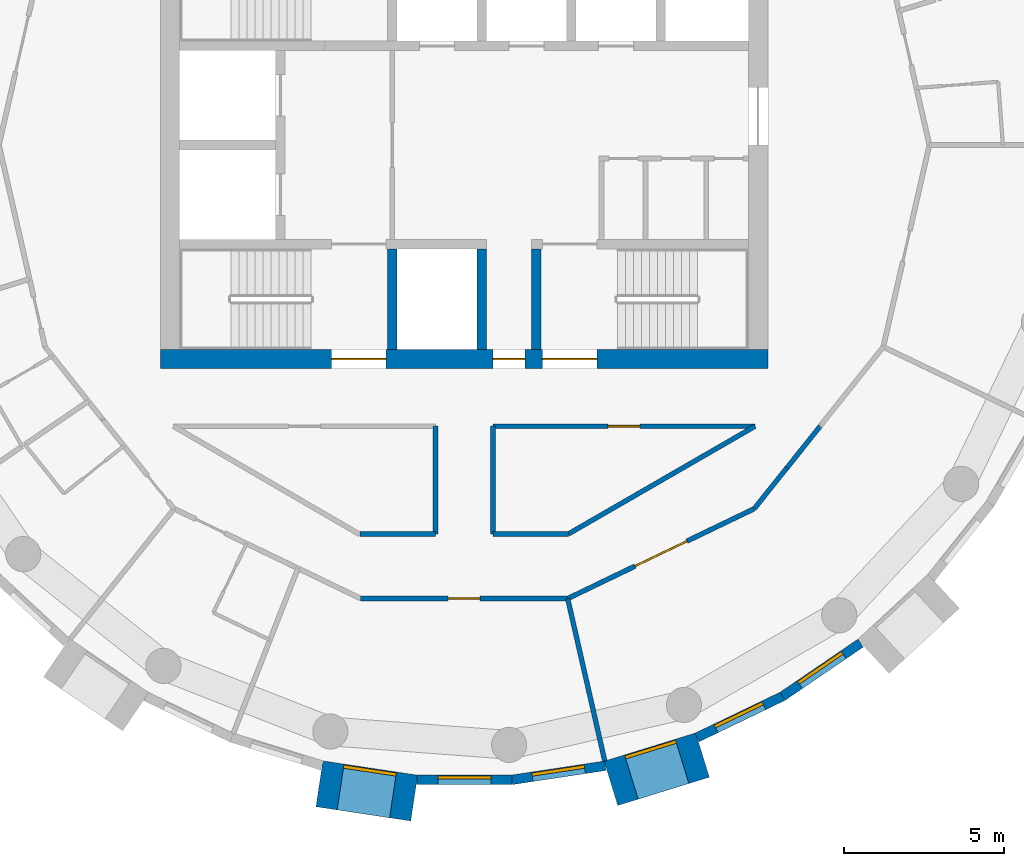
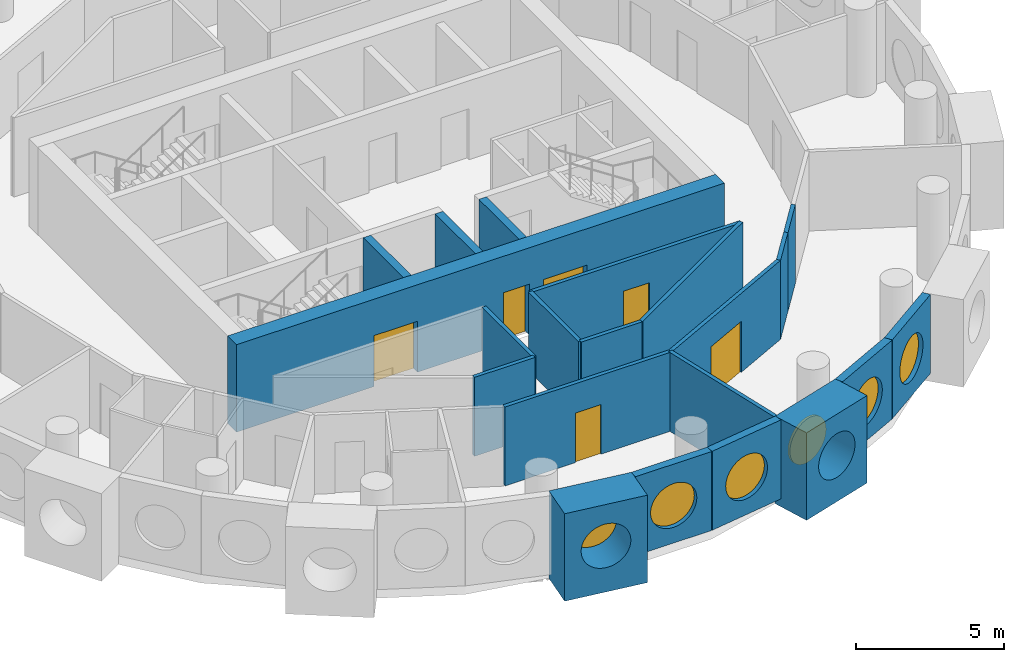
# One storey, part 4 of 13: 21 walls, 6 doors, 6 windows, 12 openings.
"""IFC4 building model written with IfcOpenShell, lengths in metres."""

import ifcopenshell
import ifcopenshell.guid

model = None  # the IFC model being written
_history = None  # IfcOwnerHistory: only IFC2X3 demands one
_inside = {}  # id of a spatial element -> (the spatial element, [elements in it])
_under = {}  # id of a project, library or spatial element -> (it, [spatial elements below it])
_declared = {}  # id of a project -> (the project, [libraries it declares])
_typed = {}  # id of a type object -> (the type object, [elements of that type])
_made_of = {}  # id of a material, layer set ... -> (it, [elements and type objects made of it])


def new_model(schema):
    """Start an empty IFC model of exactly this schema.

    Asked for "IFC4X3", IfcOpenShell would pick the latest addendum, in which some entities
    have other attributes; the version numbers below select the first issue.
    IFC2X3 requires an IfcOwnerHistory on every rooted entity: one is made here for all.
    """
    global model, _history
    if schema == "IFC4X3":
        model = ifcopenshell.file(schema_version=(4, 3, 0, 0))
    else:
        model = ifcopenshell.file(schema=schema)
    _inside.clear()
    _under.clear()
    _declared.clear()
    _typed.clear()
    _made_of.clear()
    _history = None
    if model.schema == "IFC2X3":
        org = make("IfcOrganization", Name="unknown")
        user = make(
            "IfcPersonAndOrganization",
            ThePerson=make("IfcPerson", FamilyName="unknown"),
            TheOrganization=org,
        )
        app = make(
            "IfcApplication",
            ApplicationDeveloper=org,
            Version="unknown",
            ApplicationFullName="unknown",
            ApplicationIdentifier="unknown",
        )
        _history = make(
            "IfcOwnerHistory",
            OwningUser=user,
            OwningApplication=app,
            ChangeAction="ADDED",
            CreationDate=0,
        )
    return model


def make(cls, **values):
    """One entity of the class cls with the attributes given. An attribute that is None is left unset."""
    return model.create_entity(
        cls, **{name: value for name, value in values.items() if value is not None}
    )


def rooted(cls, **values):
    """An entity with a GlobalId (a new one), such as an element, a storey or a relation."""
    return make(cls, GlobalId=ifcopenshell.guid.new(), OwnerHistory=_history, **values)


def si_unit(unit_type, name, prefix=None):
    """IfcSIUnit, for example si_unit("LENGTHUNIT", "METRE", prefix="MILLI")."""
    return make("IfcSIUnit", UnitType=unit_type, Prefix=prefix, Name=name)


def assignment(units):
    """IfcUnitAssignment: the units of a project."""
    return None if units is None else make("IfcUnitAssignment", Units=units)


def point(xyz):
    """IfcCartesianPoint."""
    return None if xyz is None else make("IfcCartesianPoint", Coordinates=xyz)


def direction(xyz):
    """IfcDirection."""
    return None if xyz is None else make("IfcDirection", DirectionRatios=xyz)


def frame(location, z_axis=None, x_axis=None):
    """IfcAxis2Placement3D, a coordinate frame: its origin and axes. An axis left out is left unset."""
    return make(
        "IfcAxis2Placement3D",
        Location=point(location),
        Axis=direction(z_axis),
        RefDirection=direction(x_axis),
    )


def frame_2d(location, x_axis=None):
    """IfcAxis2Placement2D, a coordinate frame in the plane: its origin and x axis."""
    return make(
        "IfcAxis2Placement2D", Location=point(location), RefDirection=direction(x_axis)
    )


def origin():
    """The frame at (0, 0, 0) with its axes left unset."""
    return frame((0.0, 0.0, 0.0))


def origin_2d():
    """The frame at (0, 0) in the plane with its x axis left unset."""
    return frame_2d((0.0, 0.0))


def place(relative_to, where):
    """IfcLocalPlacement: puts the frame where relative to a parent placement (None: the world)."""
    return make(
        "IfcLocalPlacement", PlacementRelTo=relative_to, RelativePlacement=where
    )


def context(
    kind, dimensions, precision=None, world=None, true_north=None, identifier=None
):
    """IfcGeometricRepresentationContext, for example the 3D "Model" context."""
    return make(
        "IfcGeometricRepresentationContext",
        ContextIdentifier=identifier,
        ContextType=kind,
        CoordinateSpaceDimension=dimensions,
        Precision=precision,
        WorldCoordinateSystem=world,
        TrueNorth=true_north,
    )


def subcontext(parent, identifier, kind, view, scale=None):
    """IfcGeometricRepresentationSubContext, for example "Body" below "Model"."""
    return make(
        "IfcGeometricRepresentationSubContext",
        ContextIdentifier=identifier,
        ContextType=kind,
        ParentContext=parent,
        TargetScale=scale,
        TargetView=view,
    )


def project(units=None, contexts=None):
    """IfcProject with its units and contexts."""
    return rooted(
        "IfcProject",
        Name="project",
        RepresentationContexts=contexts,
        UnitsInContext=assignment(units),
    )


def spatial(cls, under=None, at=None, **own):
    """A site, building, storey or space (cls), placed at a placement, below another one or the project."""
    s = rooted(cls, ObjectPlacement=at, **own)
    if under is not None:
        _under.setdefault(under.id(), (under, []))[1].append(s)
    return s


def profile(cls, at=None, kind="AREA", **sizes):
    """A parametric profile (cls). Its sizes go by their IFC names, for example OverallWidth=200.0."""
    return make(cls, ProfileType=kind, Position=at, **sizes)


def rectangle(**sizes):
    """IfcRectangleProfileDef."""
    return profile("IfcRectangleProfileDef", **sizes)


def circle(**sizes):
    """IfcCircleProfileDef."""
    return profile("IfcCircleProfileDef", **sizes)


def extrude(swept, where, along, depth):
    """IfcExtrudedAreaSolid: the profile swept, set in the frame where, extruded along a direction by depth."""
    return make(
        "IfcExtrudedAreaSolid",
        SweptArea=swept,
        Position=where,
        ExtrudedDirection=direction(along),
        Depth=depth,
    )


def shape(context_of_items, identifier, shape_type, items):
    """IfcShapeRepresentation: the items that make up one representation, for example the "Body"."""
    return make(
        "IfcShapeRepresentation",
        ContextOfItems=context_of_items,
        RepresentationIdentifier=identifier,
        RepresentationType=shape_type,
        Items=items,
    )


def material(Name=None, Category=None):
    """IfcMaterial."""
    return make("IfcMaterial", Name=Name, Category=Category)


def layer(
    of_material, thickness, ventilated=None, Name=None, Category=None, Priority=None
):
    """IfcMaterialLayer: one layer of a wall or slab, of a material (None: an air gap)."""
    return make(
        "IfcMaterialLayer",
        Material=of_material,
        LayerThickness=thickness,
        IsVentilated=ventilated,
        Name=Name,
        Category=Category,
        Priority=Priority,
    )


def layer_set(layers, Name=None):
    """IfcMaterialLayerSet."""
    return make("IfcMaterialLayerSet", MaterialLayers=layers, LayerSetName=Name)


def made_of(thing, what):
    """Note that an element or type object is made of a material, layer set ...; save() writes the relation."""
    if what is not None:
        _made_of.setdefault(what.id(), (what, []))[1].append(thing)
    return thing


def type_object(cls, material=None, **own):
    """A type object (cls), such as IfcWallType, which elements share."""
    return made_of(rooted(cls, **own), material)


def element(
    cls,
    number,
    at=None,
    inside=None,
    cuts=None,
    type_object=None,
    material=None,
    context=None,
    identifier="Body",
    shape_type=None,
    held_by="IfcProductDefinitionShape",
    body=None,
    shapes=None,
    **own,
):
    """One element of the class cls, such as IfcWall. Its Tag is "e" and its number.

    at: its placement. inside: the storey or other place that contains it. cuts: it is an
    opening in that element (IfcRelVoidsElement). A single representation is given by context,
    identifier, shape_type and body (its items); several are given by shapes. held_by: the class
    of the entity that holds the representations. save() writes the other relations.
    """
    e = rooted(cls, Tag="e%d" % number, ObjectPlacement=at, **own)
    if body is not None:
        shapes = [shape(context, identifier, shape_type, body)]
    if shapes is not None:
        e.Representation = make(held_by, Representations=shapes)
    if inside is not None:
        _inside.setdefault(inside.id(), (inside, []))[1].append(e)
    if cuts is not None:
        rooted(
            "IfcRelVoidsElement", RelatingBuildingElement=cuts, RelatedOpeningElement=e
        )
    if type_object is not None:
        _typed.setdefault(type_object.id(), (type_object, []))[1].append(e)
    return made_of(e, material)


def fill(opening, filler):
    """IfcRelFillsElement: the door or window that sits in an opening."""
    return rooted(
        "IfcRelFillsElement",
        RelatingOpeningElement=opening,
        RelatedBuildingElement=filler,
    )


def aggregate(whole, parts):
    """IfcRelAggregates: a whole, such as a stair, and the parts it consists of."""
    return rooted("IfcRelAggregates", RelatingObject=whole, RelatedObjects=parts)


def save(model, path):
    """Write the relations noted so far, then the file.

    IfcRelAggregates (storeys below a building ...), IfcRelContainedInSpatialStructure (elements
    in a storey), IfcRelDefinesByType, IfcRelAssociatesMaterial and IfcRelDeclares: one each for
    every whole, place, type object, material and project.
    """
    for whole, parts in _under.values():
        aggregate(whole, parts)
    for where, things in _inside.values():
        rooted(
            "IfcRelContainedInSpatialStructure",
            RelatedElements=things,
            RelatingStructure=where,
        )
    for kind, things in _typed.values():
        rooted("IfcRelDefinesByType", RelatedObjects=things, RelatingType=kind)
    for what, things in _made_of.values():
        rooted("IfcRelAssociatesMaterial", RelatedObjects=things, RelatingMaterial=what)
    for by, libraries in _declared.values():
        rooted("IfcRelDeclares", RelatingContext=by, RelatedDefinitions=libraries)
    model.write(path)


model = new_model("IFC4")

# Units and contexts
model_context = context("Model", 3, precision=1e-05, world=origin(), true_north=direction((0.0, 1.0)))
body_context = subcontext(model_context, "Body", "Model", "MODEL_VIEW")
ifc_project = project(units=[si_unit("LENGTHUNIT", "METRE"), si_unit("AREAUNIT", "SQUARE_METRE"), si_unit("VOLUMEUNIT", "CUBIC_METRE"), si_unit("PLANEANGLEUNIT", "RADIAN"), si_unit("MASSUNIT", "GRAM", prefix="KILO")], contexts=[model_context])

# Site, building, storey
site_placement = place(None, origin())
site = spatial("IfcSite", under=ifc_project, at=site_placement, CompositionType="ELEMENT")
building_placement = place(site_placement, origin())
building = spatial("IfcBuilding", under=site, at=building_placement, Name="Tracery Tower", CompositionType="ELEMENT")
storey_placement = place(building_placement, frame((0.0, 0.0, 259.800048828125)))
storey = spatial("IfcBuildingStorey", under=building, at=storey_placement, Name="L67", CompositionType="ELEMENT", Elevation=259.800048828125)

# Wall, openings, doors
ifc_material_1 = material(Name="Concrete C40/50", Category="concrete")
ifc_layer_1 = layer(ifc_material_1, 0.60009765625)
ifc_layer_set_1 = layer_set([ifc_layer_1], Name="Core wall 600 C40")
wall_type_1 = type_object("IfcWallType", Name="Core wall 600 C40", PredefinedType="SOLIDWALL", material=ifc_layer_set_1)
wall_1_placement = place(storey_placement, frame((-9.5, -6.699951171875, 0.0), z_axis=(0.0, 0.0, 1.0), x_axis=(1.0, 0.0, 0.0)))
wall_1 = element("IfcWall", 1, at=wall_1_placement, inside=storey, type_object=wall_type_1, Name="L67 outer S", PredefinedType="SOLIDWALL", context=body_context, shape_type="SweptSolid", body=[
    extrude(rectangle(XDim=19.0, YDim=0.60009765625, at=frame_2d((9.5, 0.0))), origin(), (0.0, 0.0, 1.0), 3.599853515625),
])
opening_1_placement = place(wall_1_placement, frame((10.39990234375, 0.0, 0.0)))
opening_1 = element("IfcOpeningElement", 2, at=opening_1_placement, cuts=wall_1, Name="Opening KD16", PredefinedType="OPENING", context=body_context, shape_type="SweptSolid", body=[
    extrude(rectangle(XDim=1.0, YDim=2.10009765625, at=frame_2d((0.5, 1.050048828125))), frame((0.0, 0.300048828125, 0.0), z_axis=(0.0, -1.0, 0.0), x_axis=(1.0, 0.0, 0.0)), (0.0, 0.0, 1.0), 0.60009765625),
])
opening_2_placement = place(wall_1_placement, frame((5.35009765625, 0.0, 0.0)))
opening_2 = element("IfcOpeningElement", 3, at=opening_2_placement, cuts=wall_1, Name="Opening KD3", PredefinedType="OPENING", context=body_context, shape_type="SweptSolid", body=[
    extrude(rectangle(XDim=1.699951171875, YDim=2.10009765625, at=frame_2d((0.85009765625, 1.050048828125))), frame((0.0, 0.300048828125, 0.0), z_axis=(0.0, -1.0, 0.0), x_axis=(1.0, 0.0, 0.0)), (0.0, 0.0, 1.0), 0.60009765625),
])
opening_3_placement = place(wall_1_placement, frame((11.949951171875, 0.0, 0.0)))
opening_3 = element("IfcOpeningElement", 4, at=opening_3_placement, cuts=wall_1, Name="Opening KD3", PredefinedType="OPENING", context=body_context, shape_type="SweptSolid", body=[
    extrude(rectangle(XDim=1.699951171875, YDim=2.10009765625, at=frame_2d((0.85009765625, 1.050048828125))), frame((0.0, 0.300048828125, 0.0), z_axis=(0.0, -1.0, 0.0), x_axis=(1.0, 0.0, 0.0)), (0.0, 0.0, 1.0), 0.60009765625),
])
ifc_material_2 = material(Name="Steel fire door", Category="steel")
door_type_1 = type_object("IfcDoorType", Name="Core exit door 1000", OperationType="NOTDEFINED", PredefinedType="DOOR", material=ifc_material_2)
door_1_placement = place(opening_1_placement, origin())
door_1 = element("IfcDoor", 5, at=door_1_placement, inside=storey, type_object=door_type_1, Name="Core exit door", OperationType="SINGLE_SWING_LEFT", OverallHeight=2.10009765625, OverallWidth=1.0, PredefinedType="DOOR", context=body_context, shape_type="SweptSolid", body=[
    extrude(rectangle(XDim=1.0, YDim=2.10009765625, at=frame_2d((0.5, 1.050048828125))), frame((0.0, 0.02490234375, 0.0), z_axis=(0.0, -1.0, 0.0), x_axis=(1.0, 0.0, 0.0)), (0.0, 0.0, 1.0), 0.050048828125),
])
fill(opening_1, door_1)
ifc_material_3 = material(Name="Steel fire door", Category="steel")
door_type_2 = type_object("IfcDoorType", Name="Core stair door 1700 double", OperationType="NOTDEFINED", PredefinedType="DOOR", material=ifc_material_3)
door_2_placement = place(opening_2_placement, origin())
door_2 = element("IfcDoor", 6, at=door_2_placement, inside=storey, type_object=door_type_2, Name="Stair door ST1 exit", OperationType="DOUBLE_DOOR_SINGLE_SWING", OverallHeight=2.10009765625, OverallWidth=1.699951171875, PredefinedType="DOOR", context=body_context, shape_type="SweptSolid", body=[
    extrude(rectangle(XDim=1.699951171875, YDim=2.10009765625, at=frame_2d((0.85009765625, 1.050048828125))), frame((0.0, 0.02490234375, 0.0), z_axis=(0.0, -1.0, 0.0), x_axis=(1.0, 0.0, 0.0)), (0.0, 0.0, 1.0), 0.050048828125),
])
fill(opening_2, door_2)
door_3_placement = place(opening_3_placement, origin())
door_3 = element("IfcDoor", 7, at=door_3_placement, inside=storey, type_object=door_type_2, Name="Stair door ST2 exit", OperationType="DOUBLE_DOOR_SINGLE_SWING", OverallHeight=2.10009765625, OverallWidth=1.699951171875, PredefinedType="DOOR", context=body_context, shape_type="SweptSolid", body=[
    extrude(rectangle(XDim=1.699951171875, YDim=2.10009765625, at=frame_2d((0.85009765625, 1.050048828125))), frame((0.0, 0.02490234375, 0.0), z_axis=(0.0, -1.0, 0.0), x_axis=(1.0, 0.0, 0.0)), (0.0, 0.0, 1.0), 0.050048828125),
])
fill(opening_3, door_3)

# Wall, opening, window
ifc_material_4 = material(Name="Precast concrete C50/60", Category="concrete")
ifc_layer_2 = layer(ifc_material_4, 1.449951171875)
ifc_layer_set_2 = layer_set([ifc_layer_2], Name="Deep-set bay unit 3000 x 3600, slab edge 350")
wall_type_2 = type_object("IfcWallType", Name="Deep-set bay unit 3000 x 3600, slab edge 350", PredefinedType="ELEMENTEDWALL", material=ifc_layer_set_2)
wall_2_placement = place(storey_placement, frame((-4.52978515625, -19.9892578125, -0.35009765625), z_axis=(0.0, 0.0, 1.0), x_axis=(0.988836445254, -0.149004981587, 0.0)))
wall_2 = element("IfcWall", 8, at=wall_2_placement, inside=storey, type_object=wall_type_2, Name="Deep-set bay unit 31 at L67", PredefinedType="ELEMENTEDWALL", context=body_context, shape_type="SweptSolid", body=[
    extrude(rectangle(XDim=3.0, YDim=1.449951171875, at=frame_2d((1.5, 0.0))), origin(), (0.0, 0.0, 1.0), 3.60009765625),
])
opening_4_placement = place(wall_2_placement, frame((1.5, 0.0, 1.89990234375)))
opening_4 = element("IfcOpeningElement", 9, at=opening_4_placement, cuts=wall_2, Name="Opening WN1", PredefinedType="OPENING", context=body_context, shape_type="SweptSolid", body=[
    extrude(circle(Radius=0.9000244140625, at=origin_2d()), frame((0.0, 0.73486328125, 0.0), z_axis=(0.0, -1.0, 0.0), x_axis=(1.0, 0.0, 0.0)), (0.0, 0.0, 1.0), 1.469970703125),
])
ifc_material_5 = material(Name="Aluminium frame with tinted double glazing", Category="aluminium")
window_type = type_object("IfcWindowType", Name="Round window 1800", PartitioningType="SINGLE_PANEL", PredefinedType="WINDOW", material=ifc_material_5)
window_1_placement = place(opening_4_placement, origin())
window_1 = element("IfcWindow", 10, at=window_1_placement, inside=storey, type_object=window_type, Name="Round window 31 at L67", OverallHeight=1.800048828125, OverallWidth=1.800048828125, PartitioningType="SINGLE_PANEL", PredefinedType="WINDOW", context=body_context, shape_type="SweptSolid", body=[
    extrude(circle(Radius=0.9000244140625, at=origin_2d()), frame((0.0, 0.69482421875, 0.0), z_axis=(0.0, -1.0, 0.0), x_axis=(1.0, 0.0, 0.0)), (0.0, 0.0, 1.0), 0.10009765625),
])
fill(opening_4, window_1)

wall_3_placement = place(storey_placement, frame((4.591796875, -19.97509765625, -0.35009765625), z_axis=(0.0, 0.0, 1.0), x_axis=(0.955571139978, 0.294760574774, 0.0)))
wall_3 = element("IfcWall", 11, at=wall_3_placement, inside=storey, type_object=wall_type_2, Name="Deep-set bay unit 34 at L67", PredefinedType="ELEMENTEDWALL", context=body_context, shape_type="SweptSolid", body=[
    extrude(rectangle(XDim=3.0, YDim=1.449951171875, at=frame_2d((1.5, 0.0))), origin(), (0.0, 0.0, 1.0), 3.60009765625),
])
opening_5_placement = place(wall_3_placement, frame((1.5, 0.0, 1.89990234375)))
opening_5 = element("IfcOpeningElement", 12, at=opening_5_placement, cuts=wall_3, Name="Opening WN1", PredefinedType="OPENING", context=body_context, shape_type="SweptSolid", body=[
    extrude(circle(Radius=0.9000244140625, at=origin_2d()), frame((0.0, 0.73486328125, 0.0), z_axis=(0.0, -1.0, 0.0), x_axis=(1.0, 0.0, 0.0)), (0.0, 0.0, 1.0), 1.469970703125),
])
window_2_placement = place(opening_5_placement, origin())
window_2 = element("IfcWindow", 13, at=window_2_placement, inside=storey, type_object=window_type, Name="Round window 34 at L67", OverallHeight=1.800048828125, OverallWidth=1.800048828125, PartitioningType="SINGLE_PANEL", PredefinedType="WINDOW", context=body_context, shape_type="SweptSolid", body=[
    extrude(circle(Radius=0.9000244140625, at=origin_2d()), frame((0.0, 0.69482421875, 0.0), z_axis=(0.0, -1.0, 0.0), x_axis=(1.0, 0.0, 0.0)), (0.0, 0.0, 1.0), 0.10009765625),
])
fill(opening_5, window_2)

ifc_material_6 = material(Name="Precast concrete C50/60", Category="concrete")
ifc_layer_3 = layer(ifc_material_6, 0.300048828125)
ifc_layer_set_3 = layer_set([ifc_layer_3], Name="Facade panel 3000 x 3250")
wall_type_3 = type_object("IfcWallType", Name="Facade panel 3000 x 3250", PredefinedType="SOLIDWALL", material=ifc_layer_set_3)
wall_4_placement = place(storey_placement, frame((-1.473388671875, -19.865966796875, 0.0), z_axis=(0.0, 0.0, 1.0), x_axis=(1.0, 0.0, 0.0)))
wall_4 = element("IfcWall", 14, at=wall_4_placement, inside=storey, type_object=wall_type_3, Name="Facade panel 32 at L67", PredefinedType="SOLIDWALL", context=body_context, shape_type="SweptSolid", body=[
    extrude(rectangle(XDim=2.962158203125, YDim=0.300048828125, at=frame_2d((1.48095703125, 0.0))), origin(), (0.0, 0.0, 1.0), 3.25),
])
opening_6_placement = place(wall_4_placement, frame((1.48095703125, 0.0, 1.5498046875)))
opening_6 = element("IfcOpeningElement", 15, at=opening_6_placement, cuts=wall_4, Name="Opening WN1", PredefinedType="OPENING", context=body_context, shape_type="SweptSolid", body=[
    extrude(circle(Radius=0.9000244140625, at=origin_2d()), frame((0.0, 0.159912109375, 0.0), z_axis=(0.0, -1.0, 0.0), x_axis=(1.0, 0.0, 0.0)), (0.0, 0.0, 1.0), 0.320068359375),
])
window_3_placement = place(opening_6_placement, origin())
window_3 = element("IfcWindow", 16, at=window_3_placement, inside=storey, type_object=window_type, Name="Round window 32 at L67", OverallHeight=1.800048828125, OverallWidth=1.800048828125, PartitioningType="SINGLE_PANEL", PredefinedType="WINDOW", context=body_context, shape_type="SweptSolid", body=[
    extrude(circle(Radius=0.9000244140625, at=origin_2d()), frame((0.0, 0.1201171875, 0.0), z_axis=(0.0, -1.0, 0.0), x_axis=(1.0, 0.0, 0.0)), (0.0, 0.0, 1.0), 0.10009765625),
])
fill(opening_6, window_3)

wall_5_placement = place(storey_placement, frame((1.48876953125, -19.865966796875, 0.0), z_axis=(0.0, 0.0, 1.0), x_axis=(0.988835775663, 0.149009425104, 0.0)))
wall_5 = element("IfcWall", 17, at=wall_5_placement, inside=storey, type_object=wall_type_3, Name="Facade panel 33 at L67", PredefinedType="SOLIDWALL", context=body_context, shape_type="SweptSolid", body=[
    extrude(rectangle(XDim=2.962158203125, YDim=0.300048828125, at=frame_2d((1.48095703125, 0.0))), origin(), (0.0, 0.0, 1.0), 3.25),
])
opening_7_placement = place(wall_5_placement, frame((1.48095703125, 0.0, 1.5498046875)))
opening_7 = element("IfcOpeningElement", 18, at=opening_7_placement, cuts=wall_5, Name="Opening WN1", PredefinedType="OPENING", context=body_context, shape_type="SweptSolid", body=[
    extrude(circle(Radius=0.9000244140625, at=origin_2d()), frame((0.0, 0.159912109375, 0.0), z_axis=(0.0, -1.0, 0.0), x_axis=(1.0, 0.0, 0.0)), (0.0, 0.0, 1.0), 0.320068359375),
])
window_4_placement = place(opening_7_placement, origin())
window_4 = element("IfcWindow", 19, at=window_4_placement, inside=storey, type_object=window_type, Name="Round window 33 at L67", OverallHeight=1.800048828125, OverallWidth=1.800048828125, PartitioningType="SINGLE_PANEL", PredefinedType="WINDOW", context=body_context, shape_type="SweptSolid", body=[
    extrude(circle(Radius=0.9000244140625, at=origin_2d()), frame((0.0, 0.1201171875, 0.0), z_axis=(0.0, -1.0, 0.0), x_axis=(1.0, 0.0, 0.0)), (0.0, 0.0, 1.0), 0.10009765625),
])
fill(opening_7, window_4)

wall_6_placement = place(storey_placement, frame((7.2919921875, -18.5380859375, 0.0), z_axis=(0.0, 0.0, 1.0), x_axis=(0.90095513435, 0.433912255978, 0.0)))
wall_6 = element("IfcWall", 20, at=wall_6_placement, inside=storey, type_object=wall_type_3, Name="Facade panel 35 at L67", PredefinedType="SOLIDWALL", context=body_context, shape_type="SweptSolid", body=[
    extrude(rectangle(XDim=2.96240234375, YDim=0.300048828125, at=frame_2d((1.481201171875, 0.0))), origin(), (0.0, 0.0, 1.0), 3.25),
])
opening_8_placement = place(wall_6_placement, frame((1.48095703125, 0.0, 1.5498046875)))
opening_8 = element("IfcOpeningElement", 21, at=opening_8_placement, cuts=wall_6, Name="Opening WN1", PredefinedType="OPENING", context=body_context, shape_type="SweptSolid", body=[
    extrude(circle(Radius=0.9000244140625, at=origin_2d()), frame((0.0, 0.159912109375, 0.0), z_axis=(0.0, -1.0, 0.0), x_axis=(1.0, 0.0, 0.0)), (0.0, 0.0, 1.0), 0.320068359375),
])
window_5_placement = place(opening_8_placement, origin())
window_5 = element("IfcWindow", 22, at=window_5_placement, inside=storey, type_object=window_type, Name="Round window 35 at L67", OverallHeight=1.800048828125, OverallWidth=1.800048828125, PartitioningType="SINGLE_PANEL", PredefinedType="WINDOW", context=body_context, shape_type="SweptSolid", body=[
    extrude(circle(Radius=0.9000244140625, at=origin_2d()), frame((0.0, 0.1201171875, 0.0), z_axis=(0.0, -1.0, 0.0), x_axis=(1.0, 0.0, 0.0)), (0.0, 0.0, 1.0), 0.10009765625),
])
fill(opening_8, window_5)

wall_7_placement = place(storey_placement, frame((9.9609375, -17.252685546875, 0.0), z_axis=(0.0, 0.0, 1.0), x_axis=(0.826236061068, 0.563324037646, 0.0)))
wall_7 = element("IfcWall", 23, at=wall_7_placement, inside=storey, type_object=wall_type_3, Name="Facade panel 36 at L67", PredefinedType="SOLIDWALL", context=body_context, shape_type="SweptSolid", body=[
    extrude(rectangle(XDim=2.962158203125, YDim=0.300048828125, at=frame_2d((1.48095703125, 0.0))), origin(), (0.0, 0.0, 1.0), 3.25),
])
opening_9_placement = place(wall_7_placement, frame((1.48095703125, 0.0, 1.5498046875)))
opening_9 = element("IfcOpeningElement", 24, at=opening_9_placement, cuts=wall_7, Name="Opening WN1", PredefinedType="OPENING", context=body_context, shape_type="SweptSolid", body=[
    extrude(circle(Radius=0.9000244140625, at=origin_2d()), frame((0.0, 0.159912109375, 0.0), z_axis=(0.0, -1.0, 0.0), x_axis=(1.0, 0.0, 0.0)), (0.0, 0.0, 1.0), 0.320068359375),
])
window_6_placement = place(opening_9_placement, origin())
window_6 = element("IfcWindow", 25, at=window_6_placement, inside=storey, type_object=window_type, Name="Round window 36 at L67", OverallHeight=1.800048828125, OverallWidth=1.800048828125, PartitioningType="SINGLE_PANEL", PredefinedType="WINDOW", context=body_context, shape_type="SweptSolid", body=[
    extrude(circle(Radius=0.9000244140625, at=origin_2d()), frame((0.0, 0.1201171875, 0.0), z_axis=(0.0, -1.0, 0.0), x_axis=(1.0, 0.0, 0.0)), (0.0, 0.0, 1.0), 0.10009765625),
])
fill(opening_9, window_6)

# Wall
ifc_material_7 = material(Name="Plasterboard on steel studs", Category="steel")
ifc_layer_4 = layer(ifc_material_7, 0.14990234375)
ifc_layer_set_4 = layer_set([ifc_layer_4], Name="Partition 150 acoustic unit wall")
wall_type_4 = type_object("IfcWallType", Name="Partition 150 acoustic unit wall", PredefinedType="PARTITIONING", material=ifc_layer_set_4)
wall_8_placement = place(storey_placement, frame((3.239013671875, -14.19189453125, 0.0), z_axis=(0.0, 0.0, 1.0), x_axis=(0.222612505682, -0.974907007008, 0.0)))
element("IfcWall", 26, at=wall_8_placement, inside=storey, type_object=wall_type_4, Name="Unit wall RC3-080", PredefinedType="PARTITIONING", context=body_context, shape_type="SweptSolid", body=[
    extrude(rectangle(XDim=5.21484375, YDim=0.14990234375, at=frame_2d((2.607421875, 0.0))), origin(), (0.0, 0.0, 1.0), 3.25),
])

# Wall, opening, door
ifc_material_8 = material(Name="Plasterboard on steel studs", Category="steel")
ifc_layer_5 = layer(ifc_material_8, 0.14990234375)
ifc_layer_set_5 = layer_set([ifc_layer_5], Name="Partition 150 corridor wall")
wall_type_5 = type_object("IfcWallType", Name="Partition 150 corridor wall", PredefinedType="PARTITIONING", material=ifc_layer_set_5)
wall_9_placement = place(storey_placement, frame((0.89599609375, -8.800048828125, 0.0), z_axis=(0.0, 0.0, 1.0), x_axis=(1.0, 0.0, 0.0)))
wall_9 = element("IfcWall", 27, at=wall_9_placement, inside=storey, type_object=wall_type_5, Name="Corridor wall RC3-014", PredefinedType="PARTITIONING", context=body_context, shape_type="SweptSolid", body=[
    extrude(rectangle(XDim=8.20458984375, YDim=0.14990234375, at=frame_2d((4.102294921875, 0.0))), origin(), (0.0, 0.0, 1.0), 3.25),
])
opening_10_placement = place(wall_9_placement, frame((3.597900390625, 0.0, 0.0)))
opening_10 = element("IfcOpeningElement", 28, at=opening_10_placement, cuts=wall_9, Name="Opening RC3-04", PredefinedType="OPENING", context=body_context, shape_type="SweptSolid", body=[
    extrude(rectangle(XDim=1.0, YDim=2.0400390625, at=frame_2d((0.5, 1.02001953125))), frame((0.0, 0.074951171875, 0.0), z_axis=(0.0, -1.0, 0.0), x_axis=(1.0, 0.0, 0.0)), (0.0, 0.0, 1.0), 0.14990234375),
])
ifc_material_9 = material(Name="Timber door leaf", Category="wood")
door_type_3 = type_object("IfcDoorType", Name="Door communal room 1000", OperationType="NOTDEFINED", PredefinedType="DOOR", material=ifc_material_9)
door_4_placement = place(opening_10_placement, origin())
door_4 = element("IfcDoor", 29, at=door_4_placement, inside=storey, type_object=door_type_3, Name="Communal room door RC3-04", OperationType="SINGLE_SWING_RIGHT", OverallHeight=2.0400390625, OverallWidth=1.0, PredefinedType="DOOR", context=body_context, shape_type="SweptSolid", body=[
    extrude(rectangle(XDim=1.0, YDim=2.0400390625, at=frame_2d((0.5, 1.02001953125))), frame((0.0, 0.02490234375, 0.0), z_axis=(0.0, -1.0, 0.0), x_axis=(1.0, 0.0, 0.0)), (0.0, 0.0, 1.0), 0.050048828125),
])
fill(opening_10, door_4)

# Walls
wall_10_placement = place(storey_placement, frame((10.10107421875, -10.10107421875, 0.0), z_axis=(0.0, 0.0, 1.0), x_axis=(0.623098344652, 0.782143498913, 0.0)))
element("IfcWall", 30, at=wall_10_placement, inside=storey, type_object=wall_type_5, Name="Corridor wall RC3-020", PredefinedType="PARTITIONING", context=body_context, shape_type="SweptSolid", body=[
    extrude(rectangle(XDim=1.660888671875, YDim=0.14990234375, at=frame_2d((0.83056640625, 0.0))), origin(), (0.0, 0.0, 1.0), 3.25),
])
wall_11_placement = place(storey_placement, frame((-3.260986328125, -12.1708984375, 0.0), z_axis=(0.0, 0.0, 1.0), x_axis=(1.0, 0.0, 0.0)))
element("IfcWall", 31, at=wall_11_placement, inside=storey, type_object=wall_type_5, Name="Corridor wall RC3-038", PredefinedType="PARTITIONING", context=body_context, shape_type="SweptSolid", body=[
    extrude(rectangle(XDim=2.361083984375, YDim=0.14990234375, at=frame_2d((1.1806640625, 0.0))), origin(), (0.0, 0.0, 1.0), 3.25),
])
for number, where, z_axis, x_axis, name in (
    (32, (-0.89990234375, -12.1708984375, 0.0), (0.0, 0.0, 1.0), (0.0, 1.0, 0.0), "Corridor wall RC3-039"),
    (33, (0.89990234375, -12.1708984375, 0.0), (0.0, 0.0, 1.0), (0.0, 1.0, 0.0), "Corridor wall RC3-040"),
):
    element("IfcWall", number, at=place(storey_placement, frame(where, z_axis=z_axis, x_axis=x_axis)), inside=storey, type_object=wall_type_5, Name=name, PredefinedType="PARTITIONING", context=body_context, shape_type="SweptSolid", body=[
        extrude(rectangle(XDim=3.370849609375, YDim=0.14990234375, at=frame_2d((1.685546875, 0.0))), origin(), (0.0, 0.0, 1.0), 3.25),
    ])
wall_12_placement = place(storey_placement, frame((0.89990234375, -12.1708984375, 0.0), z_axis=(0.0, 0.0, 1.0), x_axis=(1.0, 0.0, 0.0)))
element("IfcWall", 34, at=wall_12_placement, inside=storey, type_object=wall_type_5, Name="Corridor wall RC3-041", PredefinedType="PARTITIONING", context=body_context, shape_type="SweptSolid", body=[
    extrude(rectangle(XDim=2.361083984375, YDim=0.14990234375, at=frame_2d((1.1806640625, 0.0))), origin(), (0.0, 0.0, 1.0), 3.25),
])
wall_13_placement = place(storey_placement, frame((3.260986328125, -12.1708984375, 0.0), z_axis=(0.0, 0.0, 1.0), x_axis=(0.866066809554, 0.499928276245, 0.0)))
element("IfcWall", 35, at=wall_13_placement, inside=storey, type_object=wall_type_5, Name="Corridor wall RC3-042", PredefinedType="PARTITIONING", context=body_context, shape_type="SweptSolid", body=[
    extrude(rectangle(XDim=6.74267578125, YDim=0.14990234375, at=frame_2d((3.371337890625, 0.0))), origin(), (0.0, 0.0, 1.0), 3.25),
])

# Wall, opening, door
wall_14_placement = place(storey_placement, frame((-3.239013671875, -14.19189453125, 0.0), z_axis=(0.0, 0.0, 1.0), x_axis=(1.0, 0.0, 0.0)))
wall_14 = element("IfcWall", 36, at=wall_14_placement, inside=storey, type_object=wall_type_5, Name="Corridor wall RC3-044", PredefinedType="PARTITIONING", context=body_context, shape_type="SweptSolid", body=[
    extrude(rectangle(XDim=6.47802734375, YDim=0.14990234375, at=frame_2d((3.239013671875, 0.0))), origin(), (0.0, 0.0, 1.0), 3.25),
])
opening_11_placement = place(wall_14_placement, frame((2.739013671875, 0.0, 0.0)))
opening_11 = element("IfcOpeningElement", 37, at=opening_11_placement, cuts=wall_14, Name="Opening RC3-24", PredefinedType="OPENING", context=body_context, shape_type="SweptSolid", body=[
    extrude(rectangle(XDim=1.0, YDim=2.0400390625, at=frame_2d((0.5, 1.02001953125))), frame((0.0, 0.074951171875, 0.0), z_axis=(0.0, -1.0, 0.0), x_axis=(1.0, 0.0, 0.0)), (0.0, 0.0, 1.0), 0.14990234375),
])
door_5_placement = place(opening_11_placement, origin())
door_5 = element("IfcDoor", 38, at=door_5_placement, inside=storey, type_object=door_type_3, Name="Communal room door RC3-24", OperationType="SINGLE_SWING_RIGHT", OverallHeight=2.0400390625, OverallWidth=1.0, PredefinedType="DOOR", context=body_context, shape_type="SweptSolid", body=[
    extrude(rectangle(XDim=1.0, YDim=2.0400390625, at=frame_2d((0.5, 1.02001953125))), frame((0.0, 0.02490234375, 0.0), z_axis=(0.0, -1.0, 0.0), x_axis=(1.0, 0.0, 0.0)), (0.0, 0.0, 1.0), 0.050048828125),
])
fill(opening_11, door_5)

# Wall
wall_15_placement = place(storey_placement, frame((9.075927734375, -11.381103515625, 0.0), z_axis=(0.0, 0.0, 1.0), x_axis=(0.623805208652, 0.781579849829, 0.0)))
element("IfcWall", 39, at=wall_15_placement, inside=storey, type_object=wall_type_5, Name="Corridor wall RC3-045", PredefinedType="PARTITIONING", context=body_context, shape_type="SweptSolid", body=[
    extrude(rectangle(XDim=1.64013671875, YDim=0.14990234375, at=frame_2d((0.820068359375, 0.0))), origin(), (0.0, 0.0, 1.0), 3.25),
])

# Wall, opening, door
wall_16_placement = place(storey_placement, frame((3.239013671875, -14.19189453125, 0.0), z_axis=(0.0, 0.0, 1.0), x_axis=(0.900976027191, 0.433868872388, 0.0)))
wall_16 = element("IfcWall", 40, at=wall_16_placement, inside=storey, type_object=wall_type_5, Name="Corridor wall RC3-046", PredefinedType="PARTITIONING", context=body_context, shape_type="SweptSolid", body=[
    extrude(rectangle(XDim=6.478515625, YDim=0.14990234375, at=frame_2d((3.2392578125, 0.0))), origin(), (0.0, 0.0, 1.0), 3.25),
])
opening_12_placement = place(wall_16_placement, frame((2.339599609375, 0.0, 0.0)))
opening_12 = element("IfcOpeningElement", 41, at=opening_12_placement, cuts=wall_16, Name="Opening RC3-25", PredefinedType="OPENING", context=body_context, shape_type="SweptSolid", body=[
    extrude(rectangle(XDim=1.800048828125, YDim=2.10009765625, at=frame_2d((0.89990234375, 1.050048828125))), frame((0.0, 0.074951171875, 0.0), z_axis=(0.0, -1.0, 0.0), x_axis=(1.0, 0.0, 0.0)), (0.0, 0.0, 1.0), 0.14990234375),
])
ifc_material_10 = material(Name="Timber door leaf", Category="wood")
door_type_4 = type_object("IfcDoorType", Name="Door double lounge 1800", OperationType="NOTDEFINED", PredefinedType="DOOR", material=ifc_material_10)
door_6_placement = place(opening_12_placement, origin())
door_6 = element("IfcDoor", 42, at=door_6_placement, inside=storey, type_object=door_type_4, Name="Double lounge door RC3-25", OperationType="DOUBLE_DOOR_SINGLE_SWING", OverallHeight=2.10009765625, OverallWidth=1.800048828125, PredefinedType="DOOR", context=body_context, shape_type="SweptSolid", body=[
    extrude(rectangle(XDim=1.800048828125, YDim=2.10009765625, at=frame_2d((0.89990234375, 1.050048828125))), frame((0.0, 0.02490234375, 0.0), z_axis=(0.0, -1.0, 0.0), x_axis=(1.0, 0.0, 0.0)), (0.0, 0.0, 1.0), 0.050048828125),
])
fill(opening_12, door_6)

# Walls
ifc_material_11 = material(Name="Concrete C40/50", Category="concrete")
ifc_layer_6 = layer(ifc_material_11, 0.300048828125)
ifc_layer_set_6 = layer_set([ifc_layer_6], Name="Shaft wall 300 C40")
wall_type_6 = type_object("IfcWallType", Name="Shaft wall 300 C40", PredefinedType="SOLIDWALL", material=ifc_layer_set_6)
wall_17_placement = place(storey_placement, frame((0.550048828125, -6.39990234375, 0.0), z_axis=(0.0, 0.0, 1.0), x_axis=(0.0, 1.0, 0.0)))
element("IfcWall", 43, at=wall_17_placement, inside=storey, type_object=wall_type_6, Name="L67 OB2 E", PredefinedType="SOLIDWALL", context=body_context, shape_type="SweptSolid", body=[
    extrude(rectangle(XDim=3.14990234375, YDim=0.300048828125, at=frame_2d((1.574951171875, 0.0))), origin(), (0.0, 0.0, 1.0), 3.25),
])
ifc_material_12 = material(Name="Concrete C40/50", Category="concrete")
ifc_layer_7 = layer(ifc_material_12, 0.300048828125)
ifc_layer_set_7 = layer_set([ifc_layer_7], Name="Stair wall 300 C40")
wall_type_7 = type_object("IfcWallType", Name="Stair wall 300 C40", PredefinedType="SOLIDWALL", material=ifc_layer_set_7)
for number, where, z_axis, x_axis, name in (
    (44, (-2.25, -6.39990234375, 0.0), (0.0, 0.0, 1.0), (0.0, 1.0, 0.0), "L67 ST1 E"),
    (45, (2.25, -6.39990234375, 0.0), (0.0, 0.0, 1.0), (0.0, 1.0, 0.0), "L67 ST2 W"),
):
    element("IfcWall", number, at=place(storey_placement, frame(where, z_axis=z_axis, x_axis=x_axis)), inside=storey, type_object=wall_type_7, Name=name, PredefinedType="SOLIDWALL", context=body_context, shape_type="SweptSolid", body=[
        extrude(rectangle(XDim=3.14990234375, YDim=0.300048828125, at=frame_2d((1.574951171875, 0.0))), origin(), (0.0, 0.0, 1.0), 3.25),
    ])

save(model, "model.ifc")
